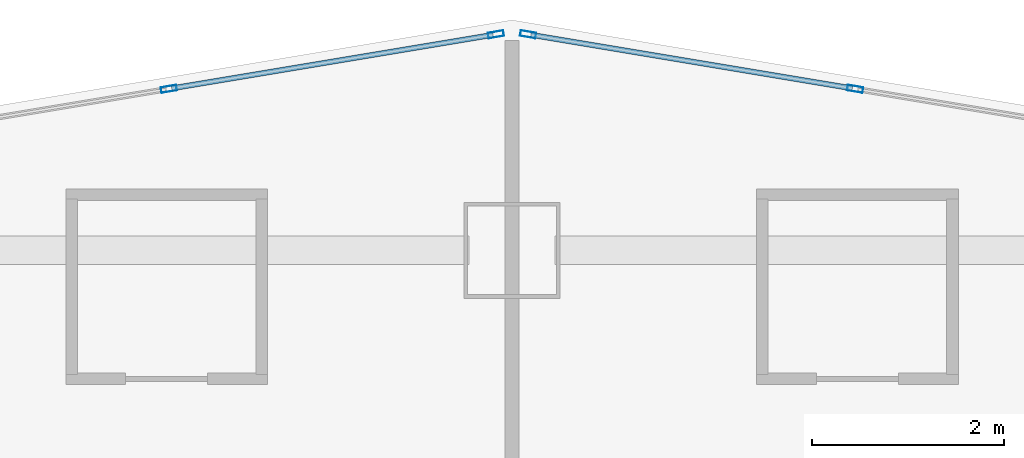
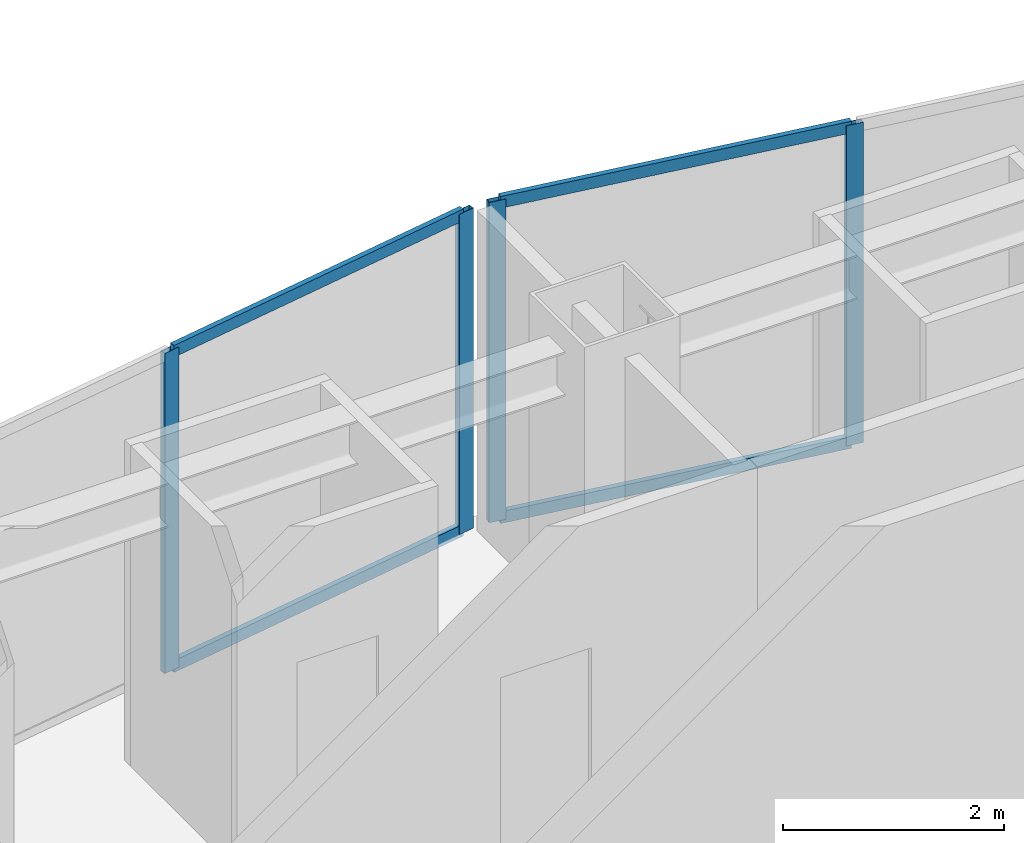
# One storey, part 4 of 19: 8 members, 2 elements without a shape of their own.
"""IFC4 building model written with IfcOpenShell, lengths in metres."""

from ifc_helpers import new_model, si_unit, direction, frame, origin, origin_2d, place, context, subcontext, project, spatial, hollow_rectangle, extrude, material, layer, layer_set, material_profile, profile_set, type_object, element, aggregate, save


model = new_model("IFC4")

# Units and contexts
model_context = context("Model", 3, precision=1e-05, world=origin(), true_north=direction((0.0, 1.0)))
body_context = subcontext(model_context, "Body", "Model", "MODEL_VIEW")
ifc_project = project(units=[si_unit("LENGTHUNIT", "METRE"), si_unit("AREAUNIT", "SQUARE_METRE"), si_unit("VOLUMEUNIT", "CUBIC_METRE"), si_unit("PLANEANGLEUNIT", "RADIAN"), si_unit("MASSUNIT", "GRAM", prefix="KILO")], contexts=[model_context])

# Site, building, storey
site_placement = place(None, origin())
site = spatial("IfcSite", under=ifc_project, at=site_placement, CompositionType="ELEMENT")
building_placement = place(site_placement, origin())
building = spatial("IfcBuilding", under=site, at=building_placement, Name="Haolan Belvedere Tower", CompositionType="ELEMENT")
storey_placement = place(building_placement, frame((0.0, 0.0, 39.199951171875)))
storey = spatial("IfcBuildingStorey", under=building, at=storey_placement, Name="L09", CompositionType="ELEMENT", Elevation=39.199951171875)

# Curtain wall, members
ifc_material_1 = material(Name="Anodised champagne-silver aluminium 6063-T6 and Low-E glass", Category="aluminium")
ifc_layer = layer(ifc_material_1, 0.1650390625, Name="Anodised champagne-silver aluminium 6063-T6 and Low-E glass")
ifc_layer_set = layer_set([ifc_layer], Name="Anodised champagne-silver aluminium 6063-T6 and Low-E glass")
curtain_wall_type = type_object("IfcCurtainWallType", Name="CW-SYS-02", PredefinedType="NOTDEFINED", material=ifc_layer_set)
curtain_wall_1_placement = place(storey_placement, origin())
curtain_wall_1 = element("IfcCurtainWall", 1, at=curtain_wall_1_placement, inside=storey, type_object=curtain_wall_type, Name="L09 CW-SYS-02 ribbon curtain wall 42.1", PredefinedType="NOTDEFINED")
ifc_material_2 = material(Name="Anodised aluminium 6063-T6", Category="aluminium")
ifc_material_profile_1 = material_profile(ifc_material_2, hollow_rectangle(XDim=0.06005859375, YDim=0.1650390625, WallThickness=0.00390625, at=origin_2d()), Name="Anodised aluminium 6063-T6")
ifc_profile_set_1 = profile_set([ifc_material_profile_1], Name="Anodised aluminium 6063-T6")
member_type_1 = type_object("IfcMemberType", Name="CW-SYS-02-MUL", PredefinedType="MULLION", material=ifc_profile_set_1)
member_1_placement = place(storey_placement, frame((41.9755859375, 52.082275390625, 0.0), z_axis=(0.0, 0.0, 1.0), x_axis=(-0.16440364043, -0.9863931483, 0.0)))
member_1 = element("IfcMember", 2, at=member_1_placement, type_object=member_type_1, Name="CW-02 mullion 2", PredefinedType="MULLION", context=body_context, shape_type="SweptSolid", body=[
    extrude(hollow_rectangle(XDim=0.06005859375, YDim=0.1650390625, WallThickness=0.00390625, at=origin_2d()), origin(), (0.0, 0.0, 1.0), 3.5400390625),
])
member_2_placement = place(storey_placement, frame((38.567626953125, 52.650390625, 0.0), z_axis=(0.0, 0.0, 1.0), x_axis=(-0.16440364043, -0.9863931483, 0.0)))
member_2 = element("IfcMember", 3, at=member_2_placement, type_object=member_type_1, Name="CW-02 mullion 3", PredefinedType="MULLION", context=body_context, shape_type="SweptSolid", body=[
    extrude(hollow_rectangle(XDim=0.06005859375, YDim=0.1650390625, WallThickness=0.00390625, at=origin_2d()), origin(), (0.0, 0.0, 1.0), 3.5400390625),
])

curtain_wall_2_placement = place(storey_placement, origin())
curtain_wall_2 = element("IfcCurtainWall", 4, at=curtain_wall_2_placement, inside=storey, type_object=curtain_wall_type, Name="L09 CW-SYS-02 ribbon curtain wall 43.1", PredefinedType="NOTDEFINED")
member_3_placement = place(storey_placement, frame((38.232421875, 52.650390625, 0.0), z_axis=(0.0, 0.0, 1.0), x_axis=(0.16440364043, -0.9863931483, 0.0)))
member_3 = element("IfcMember", 5, at=member_3_placement, type_object=member_type_1, Name="CW-02 mullion 1", PredefinedType="MULLION", context=body_context, shape_type="SweptSolid", body=[
    extrude(hollow_rectangle(XDim=0.06005859375, YDim=0.1650390625, WallThickness=0.00390625, at=origin_2d()), origin(), (0.0, 0.0, 1.0), 3.5400390625),
])
member_4_placement = place(storey_placement, frame((34.82421875, 52.082275390625, 0.0), z_axis=(0.0, 0.0, 1.0), x_axis=(0.16440364043, -0.9863931483, 0.0)))
member_4 = element("IfcMember", 6, at=member_4_placement, type_object=member_type_1, Name="CW-02 mullion 2", PredefinedType="MULLION", context=body_context, shape_type="SweptSolid", body=[
    extrude(hollow_rectangle(XDim=0.06005859375, YDim=0.1650390625, WallThickness=0.00390625, at=origin_2d()), origin(), (0.0, 0.0, 1.0), 3.5400390625),
])

# Member
ifc_material_profile_2 = material_profile(ifc_material_2, hollow_rectangle(XDim=0.054931640625, YDim=0.1298828125, WallThickness=0.00390625, at=origin_2d()), Name="Anodised aluminium 6063-T6")
ifc_profile_set_2 = profile_set([ifc_material_profile_2], Name="Anodised aluminium 6063-T6")
member_type_2 = type_object("IfcMemberType", Name="CW-SYS-02-TRN", PredefinedType="USERDEFINED", material=ifc_profile_set_2)
member_5_placement = place(storey_placement, frame((41.946044921875, 52.08740234375, 0.027587890625), z_axis=(-0.986395867289, 0.164387326137, 0.0), x_axis=(-0.164387326137, -0.986395867289, 0.0)))
member_5 = element("IfcMember", 7, at=member_5_placement, type_object=member_type_2, Name="CW-02 transom 2.1", ObjectType="TRANSOM", PredefinedType="USERDEFINED", context=body_context, shape_type="SweptSolid", body=[
    extrude(hollow_rectangle(XDim=0.054931640625, YDim=0.1298828125, WallThickness=0.00390625, at=origin_2d()), origin(), (0.0, 0.0, 1.0), 3.39501953125),
])

member_6_placement = place(storey_placement, frame((41.946044921875, 52.08740234375, 3.512451171875), z_axis=(-0.986395867289, 0.164387326137, 0.0), x_axis=(-0.164387326137, -0.986395867289, 0.0)))
member_6 = element("IfcMember", 8, at=member_6_placement, type_object=member_type_2, Name="CW-02 transom 2.2", ObjectType="TRANSOM", PredefinedType="USERDEFINED", context=body_context, shape_type="SweptSolid", body=[
    extrude(hollow_rectangle(XDim=0.054931640625, YDim=0.1298828125, WallThickness=0.00390625, at=origin_2d()), origin(), (0.0, 0.0, 1.0), 3.39501953125),
])

aggregate(curtain_wall_1, [member_1, member_2, member_5, member_6])

member_7_placement = place(storey_placement, frame((38.20263671875, 52.6455078125, 0.027587890625), z_axis=(-0.986393923832, -0.164398987305, 0.0), x_axis=(0.164398987305, -0.986393923832, 0.0)))
member_7 = element("IfcMember", 9, at=member_7_placement, type_object=member_type_2, Name="CW-02 transom 1.1", ObjectType="TRANSOM", PredefinedType="USERDEFINED", context=body_context, shape_type="SweptSolid", body=[
    extrude(hollow_rectangle(XDim=0.054931640625, YDim=0.1298828125, WallThickness=0.00390625, at=origin_2d()), origin(), (0.0, 0.0, 1.0), 3.394775390625),
])

member_8_placement = place(storey_placement, frame((38.20263671875, 52.6455078125, 3.512451171875), z_axis=(-0.986393923832, -0.164398987305, 0.0), x_axis=(0.164398987305, -0.986393923832, 0.0)))
member_8 = element("IfcMember", 10, at=member_8_placement, type_object=member_type_2, Name="CW-02 transom 1.2", ObjectType="TRANSOM", PredefinedType="USERDEFINED", context=body_context, shape_type="SweptSolid", body=[
    extrude(hollow_rectangle(XDim=0.054931640625, YDim=0.1298828125, WallThickness=0.00390625, at=origin_2d()), origin(), (0.0, 0.0, 1.0), 3.394775390625),
])

aggregate(curtain_wall_2, [member_3, member_4, member_7, member_8])

save(model, "model.ifc")
